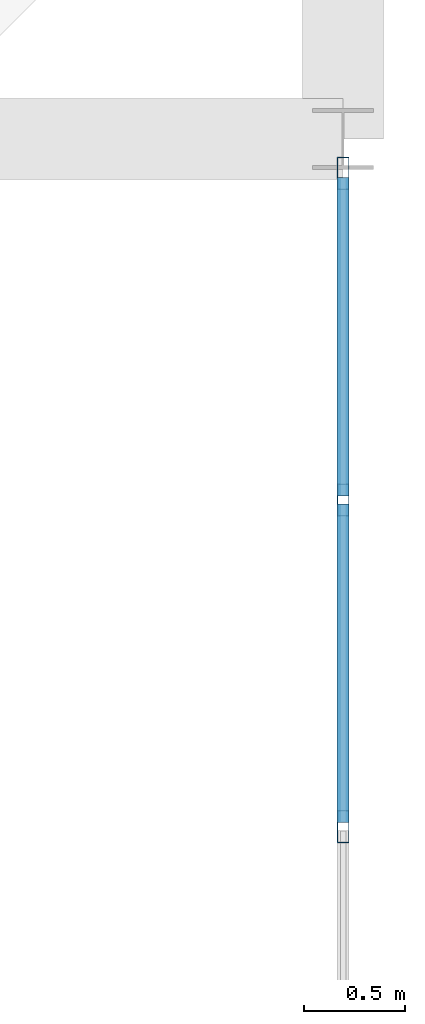
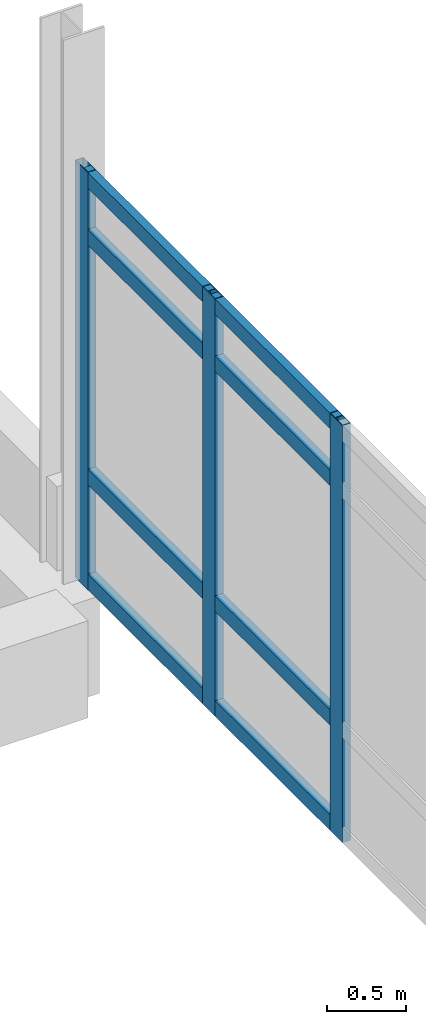
# One storey, part 88 of 111: 11 members, 1 element without a shape of its own.
"""IFC4 building model written with IfcOpenShell, lengths in metres."""

from ifc_helpers import new_model, si_unit, direction, frame, origin, origin_2d, place, context, subcontext, project, spatial, hollow_rectangle, extrude, material, layer, layer_set, material_profile, profile_set, type_object, element, aggregate, save


model = new_model("IFC4")

# Units and contexts
model_context = context("Model", 3, precision=1e-05, world=origin(), true_north=direction((0.0, 1.0)))
body_context = subcontext(model_context, "Body", "Model", "MODEL_VIEW")
ifc_project = project(units=[si_unit("LENGTHUNIT", "METRE"), si_unit("AREAUNIT", "SQUARE_METRE"), si_unit("VOLUMEUNIT", "CUBIC_METRE"), si_unit("PLANEANGLEUNIT", "RADIAN"), si_unit("MASSUNIT", "GRAM", prefix="KILO")], contexts=[model_context])

# Site, building, storey
site_placement = place(None, origin())
site = spatial("IfcSite", under=ifc_project, at=site_placement, CompositionType="ELEMENT")
building_placement = place(site_placement, origin())
building = spatial("IfcBuilding", under=site, at=building_placement, Name="Mersad Railyard Sports Hall", CompositionType="ELEMENT")
storey_placement = place(building_placement, frame((0.0, 0.0, 9.0)))
storey = spatial("IfcBuildingStorey", under=building, at=storey_placement, Name="L02", CompositionType="ELEMENT", Elevation=9.0)

# Curtain wall, members
ifc_material = material(Name="Aluminium 6063-T6", Category="aluminium")
ifc_layer = layer(ifc_material, 0.159912109375)
ifc_layer_set = layer_set([ifc_layer], Name="Aluminium 6063-T6")
curtain_wall_type = type_object("IfcCurtainWallType", Name="ARC-CW-CW23", PredefinedType="USERDEFINED", material=ifc_layer_set)
curtain_wall_placement = place(storey_placement, origin())
curtain_wall = element("IfcCurtainWall", 1, at=curtain_wall_placement, inside=storey, type_object=curtain_wall_type, Name="Curtain wall CW23-0062", ObjectType="CURTAIN WALL", PredefinedType="USERDEFINED")
ifc_material_profile_1 = material_profile(ifc_material, hollow_rectangle(XDim=0.06005859375, YDim=0.159912109375, WallThickness=0.00390625, at=origin_2d()), Name="AL MULLION 60x160x4")
ifc_profile_set_1 = profile_set([ifc_material_profile_1], Name="Aluminium 6063-T6")
member_type_1 = type_object("IfcMemberType", Name="ARC-CW-MUL01", PredefinedType="MULLION", material=ifc_profile_set_1)
member_1_placement = place(storey_placement, frame((179.0, 94.830078125, -0.02001953125), z_axis=(0.0, 0.0, 1.0), x_axis=(1.0, 0.0, 0.0)))
member_1 = element("IfcMember", 2, at=member_1_placement, type_object=member_type_1, Name="CW23 Mullion 1", PredefinedType="MULLION", context=body_context, shape_type="SweptSolid", body=[
    extrude(hollow_rectangle(XDim=0.06005859375, YDim=0.159912109375, WallThickness=0.00390625, at=origin_2d()), origin(), (0.0, 0.0, 1.0), 3.219970703125),
])
member_2_placement = place(storey_placement, frame((179.0, 93.219970703125, -0.02001953125), z_axis=(0.0, 0.0, 1.0), x_axis=(1.0, 0.0, 0.0)))
member_2 = element("IfcMember", 3, at=member_2_placement, type_object=member_type_1, Name="CW23 Mullion 2", PredefinedType="MULLION", context=body_context, shape_type="SweptSolid", body=[
    extrude(hollow_rectangle(XDim=0.06005859375, YDim=0.159912109375, WallThickness=0.00390625, at=origin_2d()), origin(), (0.0, 0.0, 1.0), 3.219970703125),
])
member_3_placement = place(storey_placement, frame((179.0, 91.610107421875, -0.02001953125), z_axis=(0.0, 0.0, 1.0), x_axis=(1.0, 0.0, 0.0)))
member_3 = element("IfcMember", 4, at=member_3_placement, type_object=member_type_1, Name="CW23 Mullion 3", PredefinedType="MULLION", context=body_context, shape_type="SweptSolid", body=[
    extrude(hollow_rectangle(XDim=0.06005859375, YDim=0.159912109375, WallThickness=0.00390625, at=origin_2d()), origin(), (0.0, 0.0, 1.0), 3.219970703125),
])
ifc_material_profile_2 = material_profile(ifc_material, hollow_rectangle(XDim=0.06005859375, YDim=0.1201171875, WallThickness=0.00390625, at=origin_2d()), Name="AL TRANSOM 60x120x4")
ifc_profile_set_2 = profile_set([ifc_material_profile_2], Name="Aluminium 6063-T6")
member_type_2 = type_object("IfcMemberType", Name="ARC-CW-TRN01", PredefinedType="USERDEFINED", material=ifc_profile_set_2)
member_4_placement = place(storey_placement, frame((179.0, 94.81005859375, 0.0400390625), z_axis=(0.0, -1.0, 0.0), x_axis=(1.0, 0.0, 0.0)))
member_4 = element("IfcMember", 5, at=member_4_placement, type_object=member_type_2, Name="CW23 Transom 1-1", ObjectType="TRANSOM", PredefinedType="USERDEFINED", context=body_context, shape_type="SweptSolid", body=[
    extrude(hollow_rectangle(XDim=0.06005859375, YDim=0.1201171875, WallThickness=0.00390625, at=origin_2d()), origin(), (0.0, 0.0, 1.0), 1.570068359375),
])
member_5_placement = place(storey_placement, frame((179.0, 93.199951171875, 0.0400390625), z_axis=(0.0, -1.0, 0.0), x_axis=(1.0, 0.0, 0.0)))
member_5 = element("IfcMember", 6, at=member_5_placement, type_object=member_type_2, Name="CW23 Transom 1-2", ObjectType="TRANSOM", PredefinedType="USERDEFINED", context=body_context, shape_type="SweptSolid", body=[
    extrude(hollow_rectangle(XDim=0.06005859375, YDim=0.1201171875, WallThickness=0.00390625, at=origin_2d()), origin(), (0.0, 0.0, 1.0), 1.570068359375),
])
member_6_placement = place(storey_placement, frame((179.0, 94.81005859375, 0.85009765625), z_axis=(0.0, -1.0, 0.0), x_axis=(1.0, 0.0, 0.0)))
member_6 = element("IfcMember", 7, at=member_6_placement, type_object=member_type_2, Name="CW23 Transom 2-1", ObjectType="TRANSOM", PredefinedType="USERDEFINED", context=body_context, shape_type="SweptSolid", body=[
    extrude(hollow_rectangle(XDim=0.06005859375, YDim=0.1201171875, WallThickness=0.00390625, at=origin_2d()), origin(), (0.0, 0.0, 1.0), 1.570068359375),
])
member_7_placement = place(storey_placement, frame((179.0, 93.199951171875, 0.85009765625), z_axis=(0.0, -1.0, 0.0), x_axis=(1.0, 0.0, 0.0)))
member_7 = element("IfcMember", 8, at=member_7_placement, type_object=member_type_2, Name="CW23 Transom 2-2", ObjectType="TRANSOM", PredefinedType="USERDEFINED", context=body_context, shape_type="SweptSolid", body=[
    extrude(hollow_rectangle(XDim=0.06005859375, YDim=0.1201171875, WallThickness=0.00390625, at=origin_2d()), origin(), (0.0, 0.0, 1.0), 1.570068359375),
])
member_8_placement = place(storey_placement, frame((179.0, 94.81005859375, 2.699951171875), z_axis=(0.0, -1.0, 0.0), x_axis=(1.0, 0.0, 0.0)))
member_8 = element("IfcMember", 9, at=member_8_placement, type_object=member_type_2, Name="CW23 Transom 3-1", ObjectType="TRANSOM", PredefinedType="USERDEFINED", context=body_context, shape_type="SweptSolid", body=[
    extrude(hollow_rectangle(XDim=0.06005859375, YDim=0.1201171875, WallThickness=0.00390625, at=origin_2d()), origin(), (0.0, 0.0, 1.0), 1.570068359375),
])
member_9_placement = place(storey_placement, frame((179.0, 93.199951171875, 2.699951171875), z_axis=(0.0, -1.0, 0.0), x_axis=(1.0, 0.0, 0.0)))
member_9 = element("IfcMember", 10, at=member_9_placement, type_object=member_type_2, Name="CW23 Transom 3-2", ObjectType="TRANSOM", PredefinedType="USERDEFINED", context=body_context, shape_type="SweptSolid", body=[
    extrude(hollow_rectangle(XDim=0.06005859375, YDim=0.1201171875, WallThickness=0.00390625, at=origin_2d()), origin(), (0.0, 0.0, 1.0), 1.570068359375),
])
member_10_placement = place(storey_placement, frame((179.0, 94.81005859375, 3.139892578125), z_axis=(0.0, -1.0, 0.0), x_axis=(1.0, 0.0, 0.0)))
member_10 = element("IfcMember", 11, at=member_10_placement, type_object=member_type_2, Name="CW23 Transom 4-1", ObjectType="TRANSOM", PredefinedType="USERDEFINED", context=body_context, shape_type="SweptSolid", body=[
    extrude(hollow_rectangle(XDim=0.06005859375, YDim=0.1201171875, WallThickness=0.00390625, at=origin_2d()), origin(), (0.0, 0.0, 1.0), 1.570068359375),
])
member_11_placement = place(storey_placement, frame((179.0, 93.199951171875, 3.139892578125), z_axis=(0.0, -1.0, 0.0), x_axis=(1.0, 0.0, 0.0)))
member_11 = element("IfcMember", 12, at=member_11_placement, type_object=member_type_2, Name="CW23 Transom 4-2", ObjectType="TRANSOM", PredefinedType="USERDEFINED", context=body_context, shape_type="SweptSolid", body=[
    extrude(hollow_rectangle(XDim=0.06005859375, YDim=0.1201171875, WallThickness=0.00390625, at=origin_2d()), origin(), (0.0, 0.0, 1.0), 1.570068359375),
])
aggregate(curtain_wall, [member_1, member_2, member_3, member_4, member_5, member_6, member_7, member_8, member_9, member_10, member_11])

save(model, "model.ifc")
